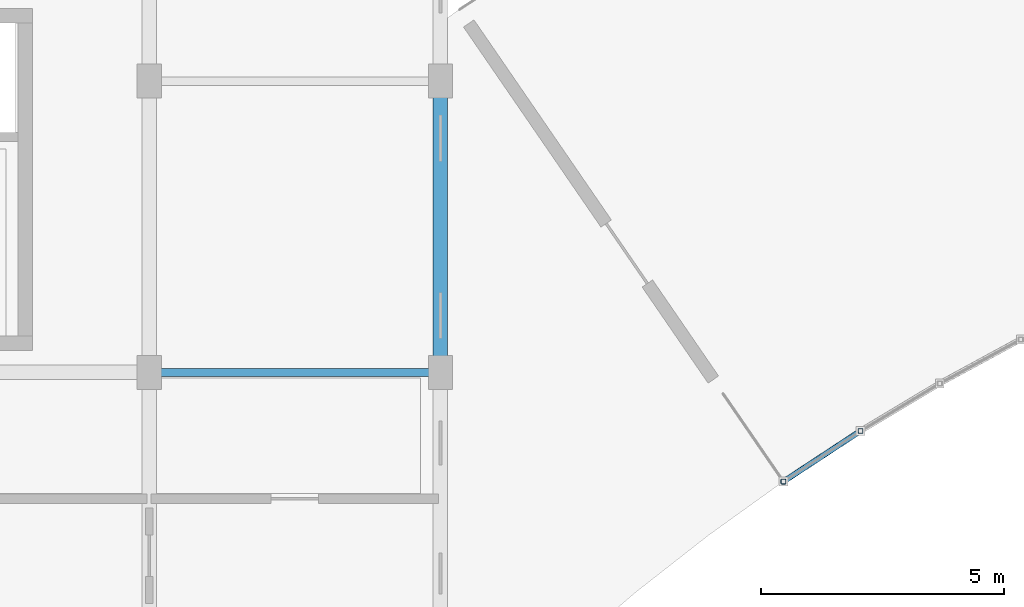
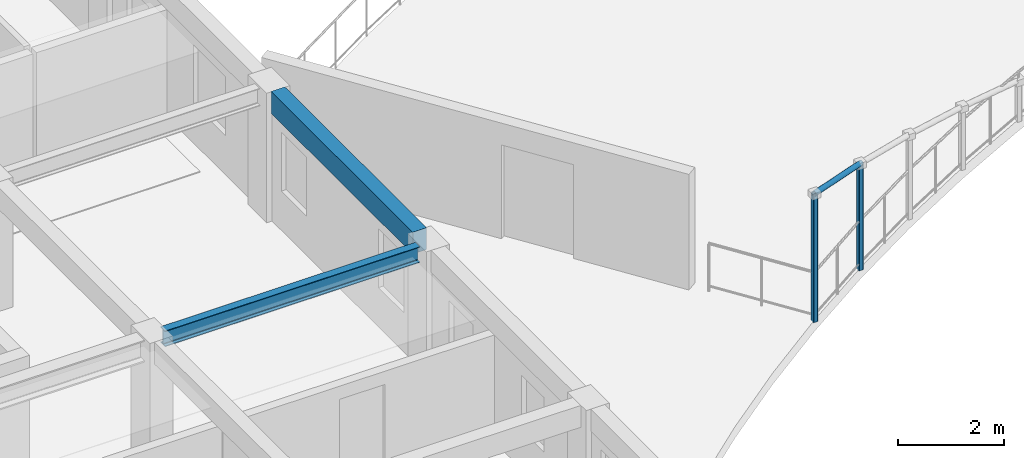
# One storey, part 13 of 58: 3 members, 2 beams.
"""IFC4 building model written with IfcOpenShell, lengths in metres."""

import ifcopenshell
import ifcopenshell.guid

model = None  # the IFC model being written
_history = None  # IfcOwnerHistory: only IFC2X3 demands one
_inside = {}  # id of a spatial element -> (the spatial element, [elements in it])
_under = {}  # id of a project, library or spatial element -> (it, [spatial elements below it])
_declared = {}  # id of a project -> (the project, [libraries it declares])
_typed = {}  # id of a type object -> (the type object, [elements of that type])
_made_of = {}  # id of a material, layer set ... -> (it, [elements and type objects made of it])


def new_model(schema):
    """Start an empty IFC model of exactly this schema.

    Asked for "IFC4X3", IfcOpenShell would pick the latest addendum, in which some entities
    have other attributes; the version numbers below select the first issue.
    IFC2X3 requires an IfcOwnerHistory on every rooted entity: one is made here for all.
    """
    global model, _history
    if schema == "IFC4X3":
        model = ifcopenshell.file(schema_version=(4, 3, 0, 0))
    else:
        model = ifcopenshell.file(schema=schema)
    _inside.clear()
    _under.clear()
    _declared.clear()
    _typed.clear()
    _made_of.clear()
    _history = None
    if model.schema == "IFC2X3":
        org = make("IfcOrganization", Name="unknown")
        user = make(
            "IfcPersonAndOrganization",
            ThePerson=make("IfcPerson", FamilyName="unknown"),
            TheOrganization=org,
        )
        app = make(
            "IfcApplication",
            ApplicationDeveloper=org,
            Version="unknown",
            ApplicationFullName="unknown",
            ApplicationIdentifier="unknown",
        )
        _history = make(
            "IfcOwnerHistory",
            OwningUser=user,
            OwningApplication=app,
            ChangeAction="ADDED",
            CreationDate=0,
        )
    return model


def make(cls, **values):
    """One entity of the class cls with the attributes given. An attribute that is None is left unset."""
    return model.create_entity(
        cls, **{name: value for name, value in values.items() if value is not None}
    )


def rooted(cls, **values):
    """An entity with a GlobalId (a new one), such as an element, a storey or a relation."""
    return make(cls, GlobalId=ifcopenshell.guid.new(), OwnerHistory=_history, **values)


def si_unit(unit_type, name, prefix=None):
    """IfcSIUnit, for example si_unit("LENGTHUNIT", "METRE", prefix="MILLI")."""
    return make("IfcSIUnit", UnitType=unit_type, Prefix=prefix, Name=name)


def assignment(units):
    """IfcUnitAssignment: the units of a project."""
    return None if units is None else make("IfcUnitAssignment", Units=units)


def point(xyz):
    """IfcCartesianPoint."""
    return None if xyz is None else make("IfcCartesianPoint", Coordinates=xyz)


def direction(xyz):
    """IfcDirection."""
    return None if xyz is None else make("IfcDirection", DirectionRatios=xyz)


def frame(location, z_axis=None, x_axis=None):
    """IfcAxis2Placement3D, a coordinate frame: its origin and axes. An axis left out is left unset."""
    return make(
        "IfcAxis2Placement3D",
        Location=point(location),
        Axis=direction(z_axis),
        RefDirection=direction(x_axis),
    )


def frame_2d(location, x_axis=None):
    """IfcAxis2Placement2D, a coordinate frame in the plane: its origin and x axis."""
    return make(
        "IfcAxis2Placement2D", Location=point(location), RefDirection=direction(x_axis)
    )


def origin():
    """The frame at (0, 0, 0) with its axes left unset."""
    return frame((0.0, 0.0, 0.0))


def origin_2d():
    """The frame at (0, 0) in the plane with its x axis left unset."""
    return frame_2d((0.0, 0.0))


def place(relative_to, where):
    """IfcLocalPlacement: puts the frame where relative to a parent placement (None: the world)."""
    return make(
        "IfcLocalPlacement", PlacementRelTo=relative_to, RelativePlacement=where
    )


def context(
    kind, dimensions, precision=None, world=None, true_north=None, identifier=None
):
    """IfcGeometricRepresentationContext, for example the 3D "Model" context."""
    return make(
        "IfcGeometricRepresentationContext",
        ContextIdentifier=identifier,
        ContextType=kind,
        CoordinateSpaceDimension=dimensions,
        Precision=precision,
        WorldCoordinateSystem=world,
        TrueNorth=true_north,
    )


def subcontext(parent, identifier, kind, view, scale=None):
    """IfcGeometricRepresentationSubContext, for example "Body" below "Model"."""
    return make(
        "IfcGeometricRepresentationSubContext",
        ContextIdentifier=identifier,
        ContextType=kind,
        ParentContext=parent,
        TargetScale=scale,
        TargetView=view,
    )


def project(units=None, contexts=None):
    """IfcProject with its units and contexts."""
    return rooted(
        "IfcProject",
        Name="project",
        RepresentationContexts=contexts,
        UnitsInContext=assignment(units),
    )


def spatial(cls, under=None, at=None, **own):
    """A site, building, storey or space (cls), placed at a placement, below another one or the project."""
    s = rooted(cls, ObjectPlacement=at, **own)
    if under is not None:
        _under.setdefault(under.id(), (under, []))[1].append(s)
    return s


def profile(cls, at=None, kind="AREA", **sizes):
    """A parametric profile (cls). Its sizes go by their IFC names, for example OverallWidth=200.0."""
    return make(cls, ProfileType=kind, Position=at, **sizes)


def rectangle(**sizes):
    """IfcRectangleProfileDef."""
    return profile("IfcRectangleProfileDef", **sizes)


def hollow_rectangle(**sizes):
    """IfcRectangleHollowProfileDef."""
    return profile("IfcRectangleHollowProfileDef", **sizes)


def hollow_circle(**sizes):
    """IfcCircleHollowProfileDef."""
    return profile("IfcCircleHollowProfileDef", **sizes)


def i_section(**sizes):
    """IfcIShapeProfileDef."""
    return profile("IfcIShapeProfileDef", **sizes)


def extrude(swept, where, along, depth):
    """IfcExtrudedAreaSolid: the profile swept, set in the frame where, extruded along a direction by depth."""
    return make(
        "IfcExtrudedAreaSolid",
        SweptArea=swept,
        Position=where,
        ExtrudedDirection=direction(along),
        Depth=depth,
    )


def shape(context_of_items, identifier, shape_type, items):
    """IfcShapeRepresentation: the items that make up one representation, for example the "Body"."""
    return make(
        "IfcShapeRepresentation",
        ContextOfItems=context_of_items,
        RepresentationIdentifier=identifier,
        RepresentationType=shape_type,
        Items=items,
    )


def material(Name=None, Category=None):
    """IfcMaterial."""
    return make("IfcMaterial", Name=Name, Category=Category)


def material_profile(
    of_material, cross_section, Name=None, Category=None, Priority=None
):
    """IfcMaterialProfile: a cross section and its material."""
    return make(
        "IfcMaterialProfile",
        Name=Name,
        Material=of_material,
        Profile=cross_section,
        Priority=Priority,
        Category=Category,
    )


def profile_set(profiles, Name=None, composite=None):
    """IfcMaterialProfileSet."""
    return make(
        "IfcMaterialProfileSet",
        Name=Name,
        MaterialProfiles=profiles,
        CompositeProfile=composite,
    )


def made_of(thing, what):
    """Note that an element or type object is made of a material, layer set ...; save() writes the relation."""
    if what is not None:
        _made_of.setdefault(what.id(), (what, []))[1].append(thing)
    return thing


def type_object(cls, material=None, **own):
    """A type object (cls), such as IfcWallType, which elements share."""
    return made_of(rooted(cls, **own), material)


def element(
    cls,
    number,
    at=None,
    inside=None,
    cuts=None,
    type_object=None,
    material=None,
    context=None,
    identifier="Body",
    shape_type=None,
    held_by="IfcProductDefinitionShape",
    body=None,
    shapes=None,
    **own,
):
    """One element of the class cls, such as IfcWall. Its Tag is "e" and its number.

    at: its placement. inside: the storey or other place that contains it. cuts: it is an
    opening in that element (IfcRelVoidsElement). A single representation is given by context,
    identifier, shape_type and body (its items); several are given by shapes. held_by: the class
    of the entity that holds the representations. save() writes the other relations.
    """
    e = rooted(cls, Tag="e%d" % number, ObjectPlacement=at, **own)
    if body is not None:
        shapes = [shape(context, identifier, shape_type, body)]
    if shapes is not None:
        e.Representation = make(held_by, Representations=shapes)
    if inside is not None:
        _inside.setdefault(inside.id(), (inside, []))[1].append(e)
    if cuts is not None:
        rooted(
            "IfcRelVoidsElement", RelatingBuildingElement=cuts, RelatedOpeningElement=e
        )
    if type_object is not None:
        _typed.setdefault(type_object.id(), (type_object, []))[1].append(e)
    return made_of(e, material)


def aggregate(whole, parts):
    """IfcRelAggregates: a whole, such as a stair, and the parts it consists of."""
    return rooted("IfcRelAggregates", RelatingObject=whole, RelatedObjects=parts)


def save(model, path):
    """Write the relations noted so far, then the file.

    IfcRelAggregates (storeys below a building ...), IfcRelContainedInSpatialStructure (elements
    in a storey), IfcRelDefinesByType, IfcRelAssociatesMaterial and IfcRelDeclares: one each for
    every whole, place, type object, material and project.
    """
    for whole, parts in _under.values():
        aggregate(whole, parts)
    for where, things in _inside.values():
        rooted(
            "IfcRelContainedInSpatialStructure",
            RelatedElements=things,
            RelatingStructure=where,
        )
    for kind, things in _typed.values():
        rooted("IfcRelDefinesByType", RelatedObjects=things, RelatingType=kind)
    for what, things in _made_of.values():
        rooted("IfcRelAssociatesMaterial", RelatedObjects=things, RelatingMaterial=what)
    for by, libraries in _declared.values():
        rooted("IfcRelDeclares", RelatingContext=by, RelatedDefinitions=libraries)
    model.write(path)


model = new_model("IFC4")

# Units and contexts
model_context = context("Model", 3, precision=1e-05, world=origin(), true_north=direction((0.0, 1.0)))
body_context = subcontext(model_context, "Body", "Model", "MODEL_VIEW")
ifc_project = project(units=[si_unit("LENGTHUNIT", "METRE"), si_unit("AREAUNIT", "SQUARE_METRE"), si_unit("VOLUMEUNIT", "CUBIC_METRE"), si_unit("PLANEANGLEUNIT", "RADIAN"), si_unit("MASSUNIT", "GRAM", prefix="KILO"), si_unit("POWERUNIT", "WATT"), si_unit("THERMODYNAMICTEMPERATUREUNIT", "KELVIN")], contexts=[model_context])

# Site, building, storey
site_placement = place(None, origin())
site = spatial("IfcSite", under=ifc_project, at=site_placement, CompositionType="ELEMENT")
building_placement = place(site_placement, origin())
building = spatial("IfcBuilding", under=site, at=building_placement, Name="Ruvembo Vaulted Housing Court", CompositionType="ELEMENT")
storey_placement = place(building_placement, frame((0.0, 0.0, 20.5)))
storey = spatial("IfcBuildingStorey", under=building, at=storey_placement, Name="L06", CompositionType="ELEMENT", Elevation=20.5)

# Beam
ifc_material_1 = material(Name="Steel S355J2", Category="steel")
ifc_material_profile_1 = material_profile(ifc_material_1, i_section(OverallWidth=0.169921875, OverallDepth=0.360107421875, WebThickness=0.008056640625, FlangeThickness=0.0126953125, FilletRadius=0.01806640625, at=origin_2d()), Name="IPE 360")
ifc_profile_set_1 = profile_set([ifc_material_profile_1], Name="Steel S355J2")
beam_type_1 = type_object("IfcBeamType", Name="BM-ST-IPE360", PredefinedType="BEAM", material=ifc_profile_set_1)
beam_1_placement = place(storey_placement, frame((78.235107421875, 90.0, 2.74609375), z_axis=(1.0, 0.0, 0.0), x_axis=(0.0, 1.0, 0.0)))
element("IfcBeam", 1, at=beam_1_placement, inside=storey, type_object=beam_type_1, Name="L06 Grid Beam X #2637", PredefinedType="BEAM", context=body_context, shape_type="SweptSolid", body=[
    extrude(i_section(OverallWidth=0.169921875, OverallDepth=0.360107421875, WebThickness=0.008056640625, FlangeThickness=0.0126953125, FilletRadius=0.01806640625, at=origin_2d()), origin(), (0.0, 0.0, 1.0), 5.52978515625),
])

# Members
ifc_material_profile_2 = material_profile(ifc_material_1, hollow_rectangle(XDim=0.10009765625, YDim=0.10009765625, WallThickness=0.00634765625, InnerFilletRadius=0.00634765625, OuterFilletRadius=0.0126953125, at=origin_2d()), Name="SHS 100x100x6.3")
ifc_profile_set_2 = profile_set([ifc_material_profile_2], Name="Steel S355J2")
member_type_1 = type_object("IfcMemberType", Name="MEM-FRM-SHS100", PredefinedType="STRUT", material=ifc_profile_set_2)
member_1_placement = place(storey_placement, frame((91.0673828125, 87.751220703125, -0.02001953125), z_axis=(0.0, 0.0, 1.0), x_axis=(1.0, 0.0, 0.0)))
element("IfcMember", 2, at=member_1_placement, inside=storey, type_object=member_type_1, Name="Scoop SC3 L06 Upswept Post 0A", PredefinedType="STRUT", context=body_context, shape_type="SweptSolid", body=[
    extrude(hollow_rectangle(XDim=0.10009765625, YDim=0.10009765625, WallThickness=0.00634765625, InnerFilletRadius=0.00634765625, OuterFilletRadius=0.0126953125, at=origin_2d()), origin(), (0.0, 0.0, 1.0), 2.919921875),
])
member_2_placement = place(storey_placement, frame((92.656494140625, 88.794677734375, -0.02001953125), z_axis=(0.0, 0.0, 1.0), x_axis=(1.0, 0.0, 0.0)))
element("IfcMember", 3, at=member_2_placement, inside=storey, type_object=member_type_1, Name="Scoop SC3 L06 Upswept Post 1A", PredefinedType="STRUT", context=body_context, shape_type="SweptSolid", body=[
    extrude(hollow_rectangle(XDim=0.10009765625, YDim=0.10009765625, WallThickness=0.00634765625, InnerFilletRadius=0.00634765625, OuterFilletRadius=0.0126953125, at=origin_2d()), origin(), (0.0, 0.0, 1.0), 2.419921875),
])
ifc_material_profile_3 = material_profile(ifc_material_1, hollow_circle(Radius=0.05712890625, WallThickness=0.00634765625, at=origin_2d()), Name="CHS 114.3x6.3")
ifc_profile_set_3 = profile_set([ifc_material_profile_3], Name="Steel S355J2")
member_type_2 = type_object("IfcMemberType", Name="MEM-STR-CHS114", PredefinedType="STRUT", material=ifc_profile_set_3)
member_3_placement = place(storey_placement, frame((91.04150390625, 87.734130859375, 2.908203125), z_axis=(0.808361177971, 0.530889189044, -0.254379391669), x_axis=(-0.548947074357, 0.835857110728, 0.0)))
element("IfcMember", 4, at=member_3_placement, inside=storey, type_object=member_type_2, Name="Scoop SC3 L06 Upswept Crest Tube 0", PredefinedType="STRUT", context=body_context, shape_type="SweptSolid", body=[
    extrude(hollow_circle(Radius=0.05712890625, WallThickness=0.00634765625, at=origin_2d()), origin(), (0.0, 0.0, 1.0), 2.02978515625),
])

# Beam
ifc_material_2 = material(Name="Concrete C35/45", Category="concrete")
ifc_material_profile_4 = material_profile(ifc_material_2, rectangle(XDim=0.300048828125, YDim=0.5, at=origin_2d()), Name="RC 300x500")
ifc_profile_set_4 = profile_set([ifc_material_profile_4], Name="Concrete C35/45")
beam_type_2 = type_object("IfcBeamType", Name="SP-RC-300x500", PredefinedType="SPANDREL", material=ifc_profile_set_4)
beam_2_placement = place(storey_placement, frame((84.0, 90.3349609375, 2.719970703125), z_axis=(0.0, 1.0, 0.0), x_axis=(-1.0, 0.0, 0.0)))
element("IfcBeam", 5, at=beam_2_placement, inside=storey, type_object=beam_type_2, Name="L06 Grid Beam Y #2726", PredefinedType="SPANDREL", context=body_context, shape_type="SweptSolid", body=[
    extrude(rectangle(XDim=0.300048828125, YDim=0.5, at=origin_2d()), origin(), (0.0, 0.0, 1.0), 5.330078125),
])

save(model, "model.ifc")
